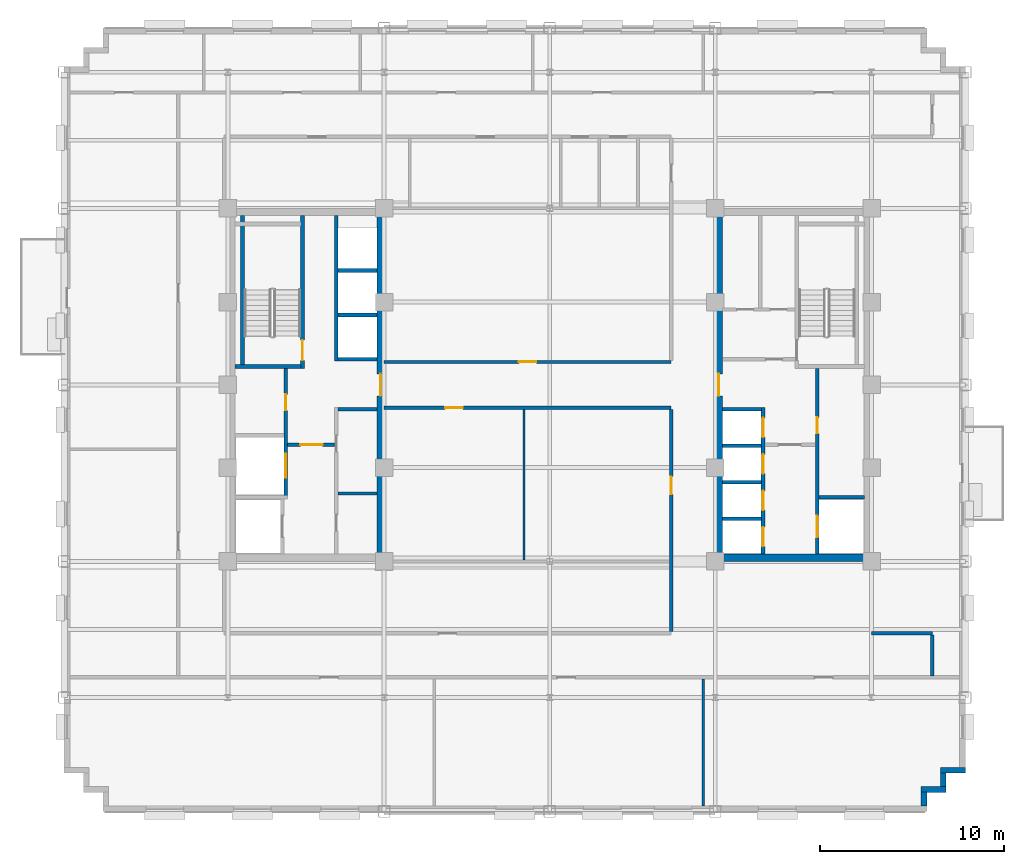
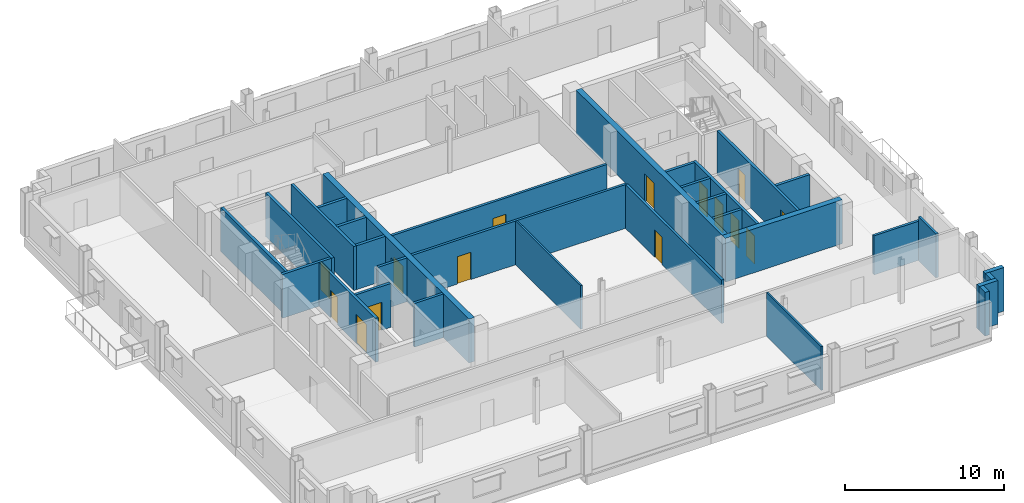
# One storey, part 8 of 14: 32 walls, 15 doors, 15 openings.
"""IFC4 building model written with IfcOpenShell, lengths in metres."""

from ifc_helpers import new_model, si_unit, direction, frame, frame_2d, origin, place, context, subcontext, project, spatial, rectangle, extrude, source, transform, mapped, material, layer, layer_set, type_object, type_shapes, element, fill, save


model = new_model("IFC4")

# Units and contexts
model_context = context("Model", 3, precision=1e-05, world=origin(), true_north=direction((0.0, 1.0)))
body_context = subcontext(model_context, "Body", "Model", "MODEL_VIEW")
ifc_project = project(units=[si_unit("LENGTHUNIT", "METRE"), si_unit("AREAUNIT", "SQUARE_METRE"), si_unit("VOLUMEUNIT", "CUBIC_METRE"), si_unit("PLANEANGLEUNIT", "RADIAN"), si_unit("MASSUNIT", "GRAM", prefix="KILO")], contexts=[model_context])

# Site, building, storey
site_placement = place(None, origin())
site = spatial("IfcSite", under=ifc_project, at=site_placement, CompositionType="ELEMENT")
building_placement = place(site_placement, origin())
building = spatial("IfcBuilding", under=site, at=building_placement, Name="Nuvemarco Arch Tower", CompositionType="ELEMENT")
storey_placement = place(building_placement, frame((0.0, 0.0, 174.949951171875)))
storey = spatial("IfcBuildingStorey", under=building, at=storey_placement, Name="L46", CompositionType="ELEMENT", Elevation=174.949951171875)

# Walls
ifc_material_1 = material(Name="Precast concrete C45/55", Category="concrete")
ifc_layer_1 = layer(ifc_material_1, 0.31005859375, Name="EW-UPP-310")
ifc_layer_set_1 = layer_set([ifc_layer_1], Name="Precast concrete C45/55")
wall_type_1 = type_object("IfcWallType", Name="EW-UPP-310", PredefinedType="STANDARD", material=ifc_layer_set_1)
wall_1_placement = place(storey_placement, frame((20.344970703125, -22.89404296875, 0.0), z_axis=(0.0, 0.0, 1.0), x_axis=(0.0, 1.0, 0.0)))
element("IfcWall", 1, at=wall_1_placement, inside=storey, type_object=wall_type_1, Name="L46 exterior precast facade wall 2", PredefinedType="STANDARD", context=body_context, shape_type="SweptSolid", body=[
    extrude(rectangle(XDim=0.748046875, YDim=0.31005859375, at=frame_2d((0.3740234375, 0.0))), origin(), (0.0, 0.0, 1.0), 3.360107421875),
])
wall_2_placement = place(storey_placement, frame((20.18994140625, -21.9951171875, 0.0), z_axis=(0.0, 0.0, 1.0), x_axis=(1.0, 0.0, 0.0)))
element("IfcWall", 2, at=wall_2_placement, inside=storey, type_object=wall_type_1, Name="L46 exterior precast facade wall 3", PredefinedType="STANDARD", context=body_context, shape_type="SweptSolid", body=[
    extrude(rectangle(XDim=1.360107421875, YDim=0.31005859375, at=frame_2d((0.68017578125, 0.0))), origin(), (0.0, 0.0, 1.0), 3.360107421875),
])
wall_3_placement = place(storey_placement, frame((21.39501953125, -21.843994140625, 0.0), z_axis=(0.0, 0.0, 1.0), x_axis=(0.0, 1.0, 0.0)))
element("IfcWall", 3, at=wall_3_placement, inside=storey, type_object=wall_type_1, Name="L46 exterior precast facade wall 4", PredefinedType="STANDARD", context=body_context, shape_type="SweptSolid", body=[
    extrude(rectangle(XDim=0.748046875, YDim=0.31005859375, at=frame_2d((0.3740234375, 0.0))), origin(), (0.0, 0.0, 1.0), 3.360107421875),
])
wall_4_placement = place(storey_placement, frame((21.239990234375, -20.945068359375, 0.0), z_axis=(0.0, 0.0, 1.0), x_axis=(1.0, 0.0, 0.0)))
element("IfcWall", 4, at=wall_4_placement, inside=storey, type_object=wall_type_1, Name="L46 exterior precast facade wall 5", PredefinedType="STANDARD", context=body_context, shape_type="SweptSolid", body=[
    extrude(rectangle(XDim=1.360107421875, YDim=0.31005859375, at=frame_2d((0.68017578125, 0.0))), origin(), (0.0, 0.0, 1.0), 3.360107421875),
])

# Wall, opening, door
ifc_material_2 = material(Name="Concrete C60/75", Category="concrete")
ifc_layer_2 = layer(ifc_material_2, 0.39990234375, Name="WL-CORE-400")
ifc_layer_set_2 = layer_set([ifc_layer_2], Name="Concrete C60/75")
wall_type_2 = type_object("IfcWallType", Name="WL-CORE-400", PredefinedType="SHEAR", material=ifc_layer_set_2)
wall_5_placement = place(storey_placement, frame((-9.199951171875, -9.205078125, 0.0), z_axis=(0.0, 0.0, 1.0), x_axis=(0.0, 1.0, 0.0)))
wall_5 = element("IfcWall", 5, at=wall_5_placement, inside=storey, type_object=wall_type_2, Name="L46 W-core shear wall E", PredefinedType="SHEAR", context=body_context, shape_type="SweptSolid", body=[
    extrude(rectangle(XDim=18.41015625, YDim=0.39990234375, at=frame_2d((9.205078125, 0.0))), origin(), (0.0, 0.0, 1.0), 3.3701171875),
])
opening_1_placement = place(wall_5_placement, frame((8.60498046875, 0.0, 0.0)))
opening_1 = element("IfcOpeningElement", 6, at=opening_1_placement, cuts=wall_5, Name="Opening FD-2", PredefinedType="OPENING", context=body_context, shape_type="SweptSolid", body=[
    extrude(rectangle(XDim=1.199951171875, YDim=2.14990234375, at=frame_2d((0.60009765625, 1.074951171875))), frame((0.0, 0.2099609375, 0.0), z_axis=(0.0, -1.0, 0.0), x_axis=(1.0, 0.0, 0.0)), (0.0, 0.0, 1.0), 0.419921875),
])
ifc_material_3 = material(Name="Anodised steel fire door", Category="steel")
door_type_1 = type_object("IfcDoorType", Name="DR-FFLOB-FD", OperationType="NOTDEFINED", PredefinedType="DOOR", material=ifc_material_3)
shared_shape_1 = source(origin(), body_context, "Body", "SweptSolid", [
    extrude(rectangle(XDim=1.199951171875, YDim=2.14990234375, at=frame_2d((0.60009765625, 1.074951171875))), frame((0.0, 0.02490234375, 0.0), z_axis=(0.0, -1.0, 0.0), x_axis=(1.0, 0.0, 0.0)), (0.0, 0.0, 1.0), 0.050048828125),
])
type_shapes(door_type_1, [shared_shape_1])
door_1_placement = place(opening_1_placement, origin())
door_1 = element("IfcDoor", 7, at=door_1_placement, inside=storey, type_object=door_type_1, Name="L46 door FD-L46-WCORE-E", OperationType="SINGLE_SWING_RIGHT", OverallHeight=2.14990234375, OverallWidth=1.199951171875, PredefinedType="DOOR", context=body_context, shape_type="MappedRepresentation", body=[
    mapped(shared_shape_1, transform((0.0, 0.0, 0.0), scale=1.0)),
])
fill(opening_1, door_1)

# Wall
wall_6_placement = place(storey_placement, frame((9.0, -9.39990234375, 0.0), z_axis=(0.0, 0.0, 1.0), x_axis=(1.0, 0.0, 0.0)))
element("IfcWall", 8, at=wall_6_placement, inside=storey, type_object=wall_type_2, Name="L46 E-core shear wall S", PredefinedType="SHEAR", context=body_context, shape_type="SweptSolid", body=[
    extrude(rectangle(XDim=8.5, YDim=0.39990234375, at=frame_2d((4.25, 0.0))), origin(), (0.0, 0.0, 1.0), 3.3701171875),
])

# Wall, opening, door
wall_7_placement = place(storey_placement, frame((9.199951171875, -9.205078125, 0.0), z_axis=(0.0, 0.0, 1.0), x_axis=(0.0, 1.0, 0.0)))
wall_7 = element("IfcWall", 9, at=wall_7_placement, inside=storey, type_object=wall_type_2, Name="L46 E-core shear wall W", PredefinedType="SHEAR", context=body_context, shape_type="SweptSolid", body=[
    extrude(rectangle(XDim=18.41015625, YDim=0.39990234375, at=frame_2d((9.205078125, 0.0))), origin(), (0.0, 0.0, 1.0), 3.3701171875),
])
opening_2_placement = place(wall_7_placement, frame((8.60498046875, 0.0, 0.0)))
opening_2 = element("IfcOpeningElement", 10, at=opening_2_placement, cuts=wall_7, Name="Opening FD-2", PredefinedType="OPENING", context=body_context, shape_type="SweptSolid", body=[
    extrude(rectangle(XDim=1.199951171875, YDim=2.14990234375, at=frame_2d((0.60009765625, 1.074951171875))), frame((0.0, 0.2099609375, 0.0), z_axis=(0.0, -1.0, 0.0), x_axis=(1.0, 0.0, 0.0)), (0.0, 0.0, 1.0), 0.419921875),
])
door_2_placement = place(opening_2_placement, origin())
door_2 = element("IfcDoor", 11, at=door_2_placement, inside=storey, type_object=door_type_1, Name="L46 door FD-L46-ECORE-W", OperationType="SINGLE_SWING_LEFT", OverallHeight=2.14990234375, OverallWidth=1.199951171875, PredefinedType="DOOR", context=body_context, shape_type="MappedRepresentation", body=[
    mapped(shared_shape_1, transform((0.0, 0.0, 0.0), scale=1.0)),
])
fill(opening_2, door_2)

# Walls
ifc_material_4 = material(Name="Fire-rated gypsum drywall partition")
ifc_layer_3 = layer(ifc_material_4, 0.179931640625, Name="WL-CORR-180")
ifc_layer_set_3 = layer_set([ifc_layer_3], Name="Fire-rated gypsum drywall partition")
wall_type_3 = type_object("IfcWallType", Name="WL-CORR-180", PredefinedType="PARTITIONING", material=ifc_layer_set_3)
wall_8_placement = place(storey_placement, frame((-11.5048828125, -5.89990234375, 0.0), z_axis=(0.0, 0.0, 1.0), x_axis=(1.0, 0.0, 0.0)))
element("IfcWall", 12, at=wall_8_placement, inside=storey, type_object=wall_type_3, Name="L46 interior wall IW-L46-W-RECK3", PredefinedType="PARTITIONING", context=body_context, shape_type="SweptSolid", body=[
    extrude(rectangle(XDim=2.10986328125, YDim=0.179931640625, at=frame_2d((1.054931640625, 0.0))), origin(), (0.0, 0.0, 1.0), 3.360107421875),
])
wall_9_placement = place(storey_placement, frame((17.5, -13.5, 0.0), z_axis=(0.0, 0.0, 1.0), x_axis=(1.0, 0.0, 0.0)))
element("IfcWall", 13, at=wall_9_placement, inside=storey, type_object=wall_type_3, Name="L46 interior wall IW-L46-003", PredefinedType="PARTITIONING", context=body_context, shape_type="SweptSolid", body=[
    extrude(rectangle(XDim=3.300048828125, YDim=0.179931640625, at=frame_2d((1.64990234375, 0.0))), origin(), (0.0, 0.0, 1.0), 3.008056640625),
])

# Wall, opening, door
wall_10_placement = place(storey_placement, frame((-9.0, -1.25, 0.0), z_axis=(0.0, 0.0, 1.0), x_axis=(1.0, 0.0, 0.0)))
wall_10 = element("IfcWall", 14, at=wall_10_placement, inside=storey, type_object=wall_type_3, Name="L46 interior wall IW-L46-007", PredefinedType="PARTITIONING", context=body_context, shape_type="SweptSolid", body=[
    extrude(rectangle(XDim=15.60009765625, YDim=0.179931640625, at=frame_2d((7.800048828125, 0.0))), origin(), (0.0, 0.0, 1.0), 3.360107421875),
])
opening_3_placement = place(wall_10_placement, frame((3.320068359375, 0.0, 0.0)))
opening_3 = element("IfcOpeningElement", 15, at=opening_3_placement, cuts=wall_10, Name="Opening FD-5", PredefinedType="OPENING", context=body_context, shape_type="SweptSolid", body=[
    extrude(rectangle(XDim=0.9599609375, YDim=2.10009765625, at=frame_2d((0.47998046875, 1.050048828125))), frame((0.0, 0.099853515625, 0.0), z_axis=(0.0, -1.0, 0.0), x_axis=(1.0, 0.0, 0.0)), (0.0, 0.0, 1.0), 0.199951171875),
])
ifc_material_5 = material(Name="Timber fire door", Category="wood")
door_type_2 = type_object("IfcDoorType", Name="DR-CORR-FD", OperationType="NOTDEFINED", PredefinedType="DOOR", material=ifc_material_5)
shared_shape_2 = source(origin(), body_context, "Body", "SweptSolid", [
    extrude(rectangle(XDim=0.9599609375, YDim=2.10009765625, at=frame_2d((0.47998046875, 1.050048828125))), frame((0.0, 0.02490234375, 0.0), z_axis=(0.0, -1.0, 0.0), x_axis=(1.0, 0.0, 0.0)), (0.0, 0.0, 1.0), 0.050048828125),
])
type_shapes(door_type_2, [shared_shape_2])
door_3_placement = place(opening_3_placement, origin())
door_3 = element("IfcDoor", 16, at=door_3_placement, inside=storey, type_object=door_type_2, Name="L46 door DR-L46-C_S1", OperationType="SINGLE_SWING_LEFT", OverallHeight=2.10009765625, OverallWidth=0.9599609375, PredefinedType="DOOR", context=body_context, shape_type="MappedRepresentation", body=[
    mapped(shared_shape_2, transform((0.0, 0.0, 0.0), scale=1.0)),
])
fill(opening_3, door_3)

wall_11_placement = place(storey_placement, frame((-9.0, 1.25, 0.0), z_axis=(0.0, 0.0, 1.0), x_axis=(1.0, 0.0, 0.0)))
wall_11 = element("IfcWall", 17, at=wall_11_placement, inside=storey, type_object=wall_type_3, Name="L46 interior wall IW-L46-008", PredefinedType="PARTITIONING", context=body_context, shape_type="SweptSolid", body=[
    extrude(rectangle(XDim=15.60009765625, YDim=0.179931640625, at=frame_2d((7.800048828125, 0.0))), origin(), (0.0, 0.0, 1.0), 3.360107421875),
])
opening_4_placement = place(wall_11_placement, frame((7.320068359375, 0.0, 0.0)))
opening_4 = element("IfcOpeningElement", 18, at=opening_4_placement, cuts=wall_11, Name="Opening FD-5", PredefinedType="OPENING", context=body_context, shape_type="SweptSolid", body=[
    extrude(rectangle(XDim=0.9599609375, YDim=2.10009765625, at=frame_2d((0.47998046875, 1.050048828125))), frame((0.0, 0.099853515625, 0.0), z_axis=(0.0, -1.0, 0.0), x_axis=(1.0, 0.0, 0.0)), (0.0, 0.0, 1.0), 0.199951171875),
])
door_4_placement = place(opening_4_placement, origin())
door_4 = element("IfcDoor", 19, at=door_4_placement, inside=storey, type_object=door_type_2, Name="L46 door DR-L46-C_N1", OperationType="SINGLE_SWING_LEFT", OverallHeight=2.10009765625, OverallWidth=0.9599609375, PredefinedType="DOOR", context=body_context, shape_type="MappedRepresentation", body=[
    mapped(shared_shape_2, transform((0.0, 0.0, 0.0), scale=1.0)),
])
fill(opening_4, door_4)

wall_12_placement = place(storey_placement, frame((6.60009765625, -13.4140625, 0.0), z_axis=(0.0, 0.0, 1.0), x_axis=(0.0, 1.0, 0.0)))
wall_12 = element("IfcWall", 20, at=wall_12_placement, inside=storey, type_object=wall_type_3, Name="L46 interior wall IW-L46-026", PredefinedType="PARTITIONING", context=body_context, shape_type="SweptSolid", body=[
    extrude(rectangle(XDim=12.078125, YDim=0.179931640625, at=frame_2d((6.0390625, 0.0))), origin(), (0.0, 0.0, 1.0), 3.360107421875),
])
opening_5_placement = place(wall_12_placement, frame((7.466064453125, 0.0, 0.0)))
opening_5 = element("IfcOpeningElement", 21, at=opening_5_placement, cuts=wall_12, Name="Opening FD-5", PredefinedType="OPENING", context=body_context, shape_type="SweptSolid", body=[
    extrude(rectangle(XDim=0.9599609375, YDim=2.10009765625, at=frame_2d((0.47998046875, 1.050048828125))), frame((0.0, 0.099853515625, 0.0), z_axis=(0.0, -1.0, 0.0), x_axis=(1.0, 0.0, 0.0)), (0.0, 0.0, 1.0), 0.199951171875),
])
door_5_placement = place(opening_5_placement, origin())
door_5 = element("IfcDoor", 22, at=door_5_placement, inside=storey, type_object=door_type_2, Name="L46 door DR-L46-C_S2", OperationType="SINGLE_SWING_LEFT", OverallHeight=2.10009765625, OverallWidth=0.9599609375, PredefinedType="DOOR", context=body_context, shape_type="MappedRepresentation", body=[
    mapped(shared_shape_2, transform((0.0, 0.0, 0.0), scale=1.0)),
])
fill(opening_5, door_5)

# Walls
wall_13_placement = place(storey_placement, frame((20.800048828125, -15.81396484375, 0.0), z_axis=(0.0, 0.0, 1.0), x_axis=(0.0, 1.0, 0.0)))
element("IfcWall", 23, at=wall_13_placement, inside=storey, type_object=wall_type_3, Name="L46 interior wall IW-L46-030", PredefinedType="PARTITIONING", context=body_context, shape_type="SweptSolid", body=[
    extrude(rectangle(XDim=2.22802734375, YDim=0.179931640625, at=frame_2d((1.114013671875, 0.0))), origin(), (0.0, 0.0, 1.0), 3.360107421875),
])
ifc_material_6 = material(Name="Glazed acoustic office partition")
ifc_layer_4 = layer(ifc_material_6, 0.1298828125, Name="WL-EXEC-130")
ifc_layer_set_4 = layer_set([ifc_layer_4], Name="Glazed acoustic office partition")
wall_type_4 = type_object("IfcWallType", Name="WL-EXEC-130", PredefinedType="PARTITIONING", material=ifc_layer_set_4)
wall_14_placement = place(storey_placement, frame((-1.39990234375, -9.52392578125, 0.0), z_axis=(0.0, 0.0, 1.0), x_axis=(0.0, 1.0, 0.0)))
element("IfcWall", 24, at=wall_14_placement, inside=storey, type_object=wall_type_4, Name="L46 interior wall IW-L46-021", PredefinedType="PARTITIONING", context=body_context, shape_type="SweptSolid", body=[
    extrude(rectangle(XDim=8.18798828125, YDim=0.1298828125, at=frame_2d((4.093994140625, 0.0))), origin(), (0.0, 0.0, 1.0), 3.360107421875),
])
wall_15_placement = place(storey_placement, frame((8.35009765625, -22.889892578125, 0.0), z_axis=(0.0, 0.0, 1.0), x_axis=(0.0, 1.0, 0.0)))
element("IfcWall", 25, at=wall_15_placement, inside=storey, type_object=wall_type_4, Name="L46 interior wall IW-L46-028", PredefinedType="PARTITIONING", context=body_context, shape_type="SweptSolid", body=[
    extrude(rectangle(XDim=6.90380859375, YDim=0.1298828125, at=frame_2d((3.451904296875, 0.0))), origin(), (0.0, 0.0, 1.0), 3.360107421875),
])

# Wall, opening, door
ifc_material_7 = material(Name="Concrete C50/60", Category="concrete")
ifc_layer_5 = layer(ifc_material_7, 0.199951171875, Name="WL-SHAFT-220")
ifc_layer_set_5 = layer_set([ifc_layer_5], Name="Concrete C50/60")
wall_type_5 = type_object("IfcWallType", Name="WL-SHAFT-220", PredefinedType="SHEAR", material=ifc_layer_set_5)
wall_16_placement = place(storey_placement, frame((-13.43994140625, 0.89990234375, 0.0), z_axis=(0.0, 0.0, 1.0), x_axis=(0.0, 1.0, 0.0)))
wall_16 = element("IfcWall", 26, at=wall_16_placement, inside=storey, type_object=wall_type_5, Name="L46 structural shaft wall SW-L46-W-ST1E", PredefinedType="SHEAR", context=body_context, shape_type="SweptSolid", body=[
    extrude(rectangle(XDim=8.30517578125, YDim=0.199951171875, at=frame_2d((4.152587890625, 0.0))), origin(), (0.0, 0.0, 1.0), 3.3701171875),
])
opening_6_placement = place(wall_16_placement, frame((1.530029296875, 0.0, 0.0), z_axis=(0.0, 0.0, 1.0), x_axis=(-1.0, 0.0, 0.0)))
opening_6 = element("IfcOpeningElement", 27, at=opening_6_placement, cuts=wall_16, Name="Opening FD-1", PredefinedType="OPENING", context=body_context, shape_type="SweptSolid", body=[
    extrude(rectangle(XDim=1.10009765625, YDim=2.14990234375, at=frame_2d((0.550048828125, 1.074951171875))), frame((0.0, 0.10986328125, 0.0), z_axis=(0.0, -1.0, 0.0), x_axis=(1.0, 0.0, 0.0)), (0.0, 0.0, 1.0), 0.219970703125),
])
door_type_3 = type_object("IfcDoorType", Name="DR-STAIR-FD", OperationType="NOTDEFINED", PredefinedType="DOOR", material=ifc_material_3)
shared_shape_3 = source(origin(), body_context, "Body", "SweptSolid", [
    extrude(rectangle(XDim=1.10009765625, YDim=2.14990234375, at=frame_2d((0.550048828125, 1.074951171875))), frame((0.0, 0.02490234375, 0.0), z_axis=(0.0, -1.0, 0.0), x_axis=(1.0, 0.0, 0.0)), (0.0, 0.0, 1.0), 0.050048828125),
])
type_shapes(door_type_3, [shared_shape_3])
door_6_placement = place(opening_6_placement, origin())
door_6 = element("IfcDoor", 28, at=door_6_placement, inside=storey, type_object=door_type_3, Name="L46 door FD-L46-ST1", OperationType="SINGLE_SWING_RIGHT", OverallHeight=2.14990234375, OverallWidth=1.10009765625, PredefinedType="DOOR", context=body_context, shape_type="MappedRepresentation", body=[
    mapped(shared_shape_3, transform((0.0, 0.0, 0.0), scale=1.0)),
])
fill(opening_6, door_6)

# Walls
wall_17_placement = place(storey_placement, frame((-17.10498046875, 1.0, 0.0), z_axis=(0.0, 0.0, 1.0), x_axis=(1.0, 0.0, 0.0)))
element("IfcWall", 29, at=wall_17_placement, inside=storey, type_object=wall_type_5, Name="L46 structural shaft wall SW-L46-W-ST1S", PredefinedType="SHEAR", context=body_context, shape_type="SweptSolid", body=[
    extrude(rectangle(XDim=3.570068359375, YDim=0.199951171875, at=frame_2d((1.78515625, 0.0))), origin(), (0.0, 0.0, 1.0), 3.3701171875),
])
wall_18_placement = place(storey_placement, frame((-16.699951171875, 1.094970703125, 0.0), z_axis=(0.0, 0.0, 1.0), x_axis=(0.0, 1.0, 0.0)))
element("IfcWall", 30, at=wall_18_placement, inside=storey, type_object=wall_type_5, Name="L46 structural shaft wall SW-L46-W-ST1W", PredefinedType="SHEAR", context=body_context, shape_type="SweptSolid", body=[
    extrude(rectangle(XDim=8.110107421875, YDim=0.199951171875, at=frame_2d((4.05517578125, 0.0))), origin(), (0.0, 0.0, 1.0), 3.3701171875),
])

# Wall, openings, doors
wall_19_placement = place(storey_placement, frame((-14.35009765625, -6.199951171875, 0.0), z_axis=(0.0, 0.0, 1.0), x_axis=(0.0, 1.0, 0.0)))
wall_19 = element("IfcWall", 31, at=wall_19_placement, inside=storey, type_object=wall_type_5, Name="L46 structural shaft wall SW-L46-W-SVE", PredefinedType="SHEAR", context=body_context, shape_type="SweptSolid", body=[
    extrude(rectangle(XDim=7.10498046875, YDim=0.199951171875, at=frame_2d((3.552490234375, 0.0))), origin(), (0.0, 0.0, 1.0), 3.3701171875),
])
opening_7_placement = place(wall_19_placement, frame((5.68994140625, 0.0, 0.0), z_axis=(0.0, 0.0, 1.0), x_axis=(-1.0, 0.0, 0.0)))
opening_7 = element("IfcOpeningElement", 32, at=opening_7_placement, cuts=wall_19, Name="Opening FD-4", PredefinedType="OPENING", context=body_context, shape_type="SweptSolid", body=[
    extrude(rectangle(XDim=0.8798828125, YDim=2.10009765625, at=frame_2d((0.43994140625, 1.050048828125))), frame((0.0, 0.10986328125, 0.0), z_axis=(0.0, -1.0, 0.0), x_axis=(1.0, 0.0, 0.0)), (0.0, 0.0, 1.0), 0.219970703125),
])
opening_8_placement = place(wall_19_placement, frame((1.14990234375, 0.0, 0.0)))
opening_8 = element("IfcOpeningElement", 33, at=opening_8_placement, cuts=wall_19, Name="Opening LD-3", PredefinedType="OPENING", context=body_context, shape_type="SweptSolid", body=[
    extrude(rectangle(XDim=1.300048828125, YDim=2.199951171875, at=frame_2d((0.64990234375, 1.10009765625))), frame((0.0, 0.10986328125, 0.0), z_axis=(0.0, -1.0, 0.0), x_axis=(1.0, 0.0, 0.0)), (0.0, 0.0, 1.0), 0.219970703125),
])
door_type_4 = type_object("IfcDoorType", Name="DR-RISER-FD", OperationType="NOTDEFINED", PredefinedType="DOOR", material=ifc_material_3)
shared_shape_4 = source(origin(), body_context, "Body", "SweptSolid", [
    extrude(rectangle(XDim=0.8798828125, YDim=2.10009765625, at=frame_2d((0.43994140625, 1.050048828125))), frame((0.0, 0.02490234375, 0.0), z_axis=(0.0, -1.0, 0.0), x_axis=(1.0, 0.0, 0.0)), (0.0, 0.0, 1.0), 0.050048828125),
])
type_shapes(door_type_4, [shared_shape_4])
door_7_placement = place(opening_7_placement, origin())
door_7 = element("IfcDoor", 34, at=door_7_placement, inside=storey, type_object=door_type_4, Name="L46 door FD-L46-WRIS", OperationType="SINGLE_SWING_RIGHT", OverallHeight=2.10009765625, OverallWidth=0.8798828125, PredefinedType="DOOR", context=body_context, shape_type="MappedRepresentation", body=[
    mapped(shared_shape_4, transform((0.0, 0.0, 0.0), scale=1.0)),
])
fill(opening_7, door_7)
ifc_material_8 = material(Name="Stainless steel lift door", Category="steel")
door_type_5 = type_object("IfcDoorType", Name="DR-LIFT-SERV", OperationType="DOUBLE_DOOR_SLIDING", PredefinedType="DOOR", material=ifc_material_8)
shared_shape_5 = source(origin(), body_context, "Body", "SweptSolid", [
    extrude(rectangle(XDim=1.300048828125, YDim=2.199951171875, at=frame_2d((0.64990234375, 1.10009765625))), frame((0.0, 0.02490234375, 0.0), z_axis=(0.0, -1.0, 0.0), x_axis=(1.0, 0.0, 0.0)), (0.0, 0.0, 1.0), 0.050048828125),
])
type_shapes(door_type_5, [shared_shape_5])
door_8_placement = place(opening_8_placement, origin())
door_8 = element("IfcDoor", 35, at=door_8_placement, inside=storey, type_object=door_type_5, Name="L46 Lift landing sliding door SVL-1", OperationType="DOUBLE_DOOR_SLIDING", OverallHeight=2.199951171875, OverallWidth=1.300048828125, PredefinedType="DOOR", context=body_context, shape_type="MappedRepresentation", body=[
    mapped(shared_shape_5, transform((0.0, 0.0, 0.0), scale=1.0)),
])
fill(opening_8, door_8)

# Wall, opening, door
wall_20_placement = place(storey_placement, frame((-14.2548828125, -3.25, 0.0), z_axis=(0.0, 0.0, 1.0), x_axis=(1.0, 0.0, 0.0)))
wall_20 = element("IfcWall", 36, at=wall_20_placement, inside=storey, type_object=wall_type_5, Name="L46 structural shaft wall SW-L46-W-FFN", PredefinedType="SHEAR", context=body_context, shape_type="SweptSolid", body=[
    extrude(rectangle(XDim=2.559814453125, YDim=0.199951171875, at=frame_2d((1.27978515625, 0.0))), origin(), (0.0, 0.0, 1.0), 3.3701171875),
])
opening_9_placement = place(wall_20_placement, frame((0.705078125, 0.0, 0.0)))
opening_9 = element("IfcOpeningElement", 37, at=opening_9_placement, cuts=wall_20, Name="Opening FD-2", PredefinedType="OPENING", context=body_context, shape_type="SweptSolid", body=[
    extrude(rectangle(XDim=1.199951171875, YDim=2.14990234375, at=frame_2d((0.60009765625, 1.074951171875))), frame((0.0, 0.10986328125, 0.0), z_axis=(0.0, -1.0, 0.0), x_axis=(1.0, 0.0, 0.0)), (0.0, 0.0, 1.0), 0.219970703125),
])
door_9_placement = place(opening_9_placement, origin())
door_9 = element("IfcDoor", 38, at=door_9_placement, inside=storey, type_object=door_type_1, Name="L46 door FD-L46-WFF1", OperationType="SINGLE_SWING_RIGHT", OverallHeight=2.14990234375, OverallWidth=1.199951171875, PredefinedType="DOOR", context=body_context, shape_type="MappedRepresentation", body=[
    mapped(shared_shape_1, transform((0.0, 0.0, 0.0), scale=1.0)),
])
fill(opening_9, door_9)

# Walls
wall_21_placement = place(storey_placement, frame((-11.5048828125, -1.330078125, 0.0), z_axis=(0.0, 0.0, 1.0), x_axis=(1.0, 0.0, 0.0)))
element("IfcWall", 39, at=wall_21_placement, inside=storey, type_object=wall_type_5, Name="L46 structural shaft wall SW-L46-W-PLTOP", PredefinedType="SHEAR", context=body_context, shape_type="SweptSolid", body=[
    extrude(rectangle(XDim=2.10986328125, YDim=0.199951171875, at=frame_2d((1.054931640625, 0.0))), origin(), (0.0, 0.0, 1.0), 3.3701171875),
])
wall_22_placement = place(storey_placement, frame((-11.60009765625, 1.300048828125, 0.0), z_axis=(0.0, 0.0, 1.0), x_axis=(0.0, 1.0, 0.0)))
element("IfcWall", 40, at=wall_22_placement, inside=storey, type_object=wall_type_5, Name="L46 structural shaft wall SW-L46-W-PHW", PredefinedType="SHEAR", context=body_context, shape_type="SweptSolid", body=[
    extrude(rectangle(XDim=7.905029296875, YDim=0.199951171875, at=frame_2d((3.95263671875, 0.0))), origin(), (0.0, 0.0, 1.0), 3.3701171875),
])
for number, where, z_axis, x_axis, name in (
    (41, (-11.5048828125, 1.39990234375, 0.0), (0.0, 0.0, 1.0), (1.0, 0.0, 0.0), "L46 structural shaft wall SW-L46-W-PHD1"),
    (42, (-11.5048828125, 3.800048828125, 0.0), (0.0, 0.0, 1.0), (1.0, 0.0, 0.0), "L46 structural shaft wall SW-L46-W-PHD2"),
    (43, (-11.5048828125, 6.219970703125, 0.0), (0.0, 0.0, 1.0), (1.0, 0.0, 0.0), "L46 structural shaft wall SW-L46-W-PHD3"),
):
    element("IfcWall", number, at=place(storey_placement, frame(where, z_axis=z_axis, x_axis=x_axis)), inside=storey, type_object=wall_type_5, Name=name, PredefinedType="SHEAR", context=body_context, shape_type="SweptSolid", body=[
        extrude(rectangle(XDim=2.10986328125, YDim=0.199951171875, at=frame_2d((1.054931640625, 0.0))), origin(), (0.0, 0.0, 1.0), 3.3701171875),
    ])

# Wall, openings, doors
wall_23_placement = place(storey_placement, frame((14.550048828125, -9.205078125, 0.0), z_axis=(0.0, 0.0, 1.0), x_axis=(0.0, 1.0, 0.0)))
wall_23 = element("IfcWall", 44, at=wall_23_placement, inside=storey, type_object=wall_type_5, Name="L46 structural shaft wall SW-L46-E-SHW", PredefinedType="SHEAR", context=body_context, shape_type="SweptSolid", body=[
    extrude(rectangle(XDim=10.110107421875, YDim=0.199951171875, at=frame_2d((5.05517578125, 0.0))), origin(), (0.0, 0.0, 1.0), 3.3701171875),
])
opening_10_placement = place(wall_23_placement, frame((6.56494140625, 0.0, 0.0)))
opening_10 = element("IfcOpeningElement", 45, at=opening_10_placement, cuts=wall_23, Name="Opening FD-4", PredefinedType="OPENING", context=body_context, shape_type="SweptSolid", body=[
    extrude(rectangle(XDim=0.8798828125, YDim=2.10009765625, at=frame_2d((0.43994140625, 1.050048828125))), frame((0.0, 0.10986328125, 0.0), z_axis=(0.0, -1.0, 0.0), x_axis=(1.0, 0.0, 0.0)), (0.0, 0.0, 1.0), 0.219970703125),
])
opening_11_placement = place(wall_23_placement, frame((0.929931640625, 0.0, 0.0)))
opening_11 = element("IfcOpeningElement", 46, at=opening_11_placement, cuts=wall_23, Name="Opening LD-2", PredefinedType="OPENING", context=body_context, shape_type="SweptSolid", body=[
    extrude(rectangle(XDim=1.14990234375, YDim=2.14990234375, at=frame_2d((0.574951171875, 1.074951171875))), frame((0.0, 0.10986328125, 0.0), z_axis=(0.0, -1.0, 0.0), x_axis=(1.0, 0.0, 0.0)), (0.0, 0.0, 1.0), 0.219970703125),
])
door_10_placement = place(opening_10_placement, origin())
door_10 = element("IfcDoor", 47, at=door_10_placement, inside=storey, type_object=door_type_4, Name="L46 door FD-L46-ERIS", OperationType="SINGLE_SWING_LEFT", OverallHeight=2.10009765625, OverallWidth=0.8798828125, PredefinedType="DOOR", context=body_context, shape_type="MappedRepresentation", body=[
    mapped(shared_shape_4, transform((0.0, 0.0, 0.0), scale=1.0)),
])
fill(opening_10, door_10)
door_type_6 = type_object("IfcDoorType", Name="DR-LIFT-FIRE", OperationType="DOUBLE_DOOR_SLIDING", PredefinedType="DOOR", material=ifc_material_8)
shared_shape_6 = source(origin(), body_context, "Body", "SweptSolid", [
    extrude(rectangle(XDim=1.14990234375, YDim=2.14990234375, at=frame_2d((0.574951171875, 1.074951171875))), frame((0.0, 0.02490234375, 0.0), z_axis=(0.0, -1.0, 0.0), x_axis=(1.0, 0.0, 0.0)), (0.0, 0.0, 1.0), 0.050048828125),
])
type_shapes(door_type_6, [shared_shape_6])
door_11_placement = place(opening_11_placement, origin())
door_11 = element("IfcDoor", 48, at=door_11_placement, inside=storey, type_object=door_type_6, Name="L46 Lift landing sliding door FFL-2", OperationType="DOUBLE_DOOR_SLIDING", OverallHeight=2.14990234375, OverallWidth=1.14990234375, PredefinedType="DOOR", context=body_context, shape_type="MappedRepresentation", body=[
    mapped(shared_shape_6, transform((0.0, 0.0, 0.0), scale=1.0)),
])
fill(opening_11, door_11)

# Wall
wall_24_placement = place(storey_placement, frame((14.64501953125, -6.10009765625, 0.0), z_axis=(0.0, 0.0, 1.0), x_axis=(1.0, 0.0, 0.0)))
element("IfcWall", 49, at=wall_24_placement, inside=storey, type_object=wall_type_5, Name="L46 structural shaft wall SW-L46-E-SH1", PredefinedType="SHEAR", context=body_context, shape_type="SweptSolid", body=[
    extrude(rectangle(XDim=2.4599609375, YDim=0.199951171875, at=frame_2d((1.22998046875, 0.0))), origin(), (0.0, 0.0, 1.0), 3.3701171875),
])

# Wall, openings, doors
wall_25_placement = place(storey_placement, frame((11.60009765625, -9.205078125, 0.0), z_axis=(0.0, 0.0, 1.0), x_axis=(0.0, 1.0, 0.0)))
wall_25 = element("IfcWall", 50, at=wall_25_placement, inside=storey, type_object=wall_type_5, Name="L46 structural shaft wall SW-L46-E-PME", PredefinedType="SHEAR", context=body_context, shape_type="SweptSolid", body=[
    extrude(rectangle(XDim=7.97509765625, YDim=0.199951171875, at=frame_2d((3.987548828125, 0.0))), origin(), (0.0, 0.0, 1.0), 3.3701171875),
])
opening_12_placement = place(wall_25_placement, frame((0.419921875, 0.0, 0.0)))
opening_12 = element("IfcOpeningElement", 51, at=opening_12_placement, cuts=wall_25, Name="Opening LD-1", PredefinedType="OPENING", context=body_context, shape_type="SweptSolid", body=[
    extrude(rectangle(XDim=1.050048828125, YDim=2.14990234375, at=frame_2d((0.52490234375, 1.074951171875))), frame((0.0, 0.10986328125, 0.0), z_axis=(0.0, -1.0, 0.0), x_axis=(1.0, 0.0, 0.0)), (0.0, 0.0, 1.0), 0.219970703125),
])
opening_13_placement = place(wall_25_placement, frame((2.39990234375, 0.0, 0.0)))
opening_13 = element("IfcOpeningElement", 52, at=opening_13_placement, cuts=wall_25, Name="Opening LD-1", PredefinedType="OPENING", context=body_context, shape_type="SweptSolid", body=[
    extrude(rectangle(XDim=1.050048828125, YDim=2.14990234375, at=frame_2d((0.52490234375, 1.074951171875))), frame((0.0, 0.10986328125, 0.0), z_axis=(0.0, -1.0, 0.0), x_axis=(1.0, 0.0, 0.0)), (0.0, 0.0, 1.0), 0.219970703125),
])
opening_14_placement = place(wall_25_placement, frame((4.3798828125, 0.0, 0.0)))
opening_14 = element("IfcOpeningElement", 53, at=opening_14_placement, cuts=wall_25, Name="Opening LD-1", PredefinedType="OPENING", context=body_context, shape_type="SweptSolid", body=[
    extrude(rectangle(XDim=1.050048828125, YDim=2.14990234375, at=frame_2d((0.52490234375, 1.074951171875))), frame((0.0, 0.10986328125, 0.0), z_axis=(0.0, -1.0, 0.0), x_axis=(1.0, 0.0, 0.0)), (0.0, 0.0, 1.0), 0.219970703125),
])
opening_15_placement = place(wall_25_placement, frame((6.360107421875, 0.0, 0.0)))
opening_15 = element("IfcOpeningElement", 54, at=opening_15_placement, cuts=wall_25, Name="Opening LD-1", PredefinedType="OPENING", context=body_context, shape_type="SweptSolid", body=[
    extrude(rectangle(XDim=1.050048828125, YDim=2.14990234375, at=frame_2d((0.52490234375, 1.074951171875))), frame((0.0, 0.10986328125, 0.0), z_axis=(0.0, -1.0, 0.0), x_axis=(1.0, 0.0, 0.0)), (0.0, 0.0, 1.0), 0.219970703125),
])
door_type_7 = type_object("IfcDoorType", Name="DR-LIFT-PASS", OperationType="DOUBLE_DOOR_SLIDING", PredefinedType="DOOR", material=ifc_material_8)
shared_shape_7 = source(origin(), body_context, "Body", "SweptSolid", [
    extrude(rectangle(XDim=1.050048828125, YDim=2.14990234375, at=frame_2d((0.52490234375, 1.074951171875))), frame((0.0, 0.02490234375, 0.0), z_axis=(0.0, -1.0, 0.0), x_axis=(1.0, 0.0, 0.0)), (0.0, 0.0, 1.0), 0.050048828125),
])
type_shapes(door_type_7, [shared_shape_7])
door_12_placement = place(opening_12_placement, origin())
door_12 = element("IfcDoor", 55, at=door_12_placement, inside=storey, type_object=door_type_7, Name="L46 Lift landing sliding door PM-1", OperationType="DOUBLE_DOOR_SLIDING", OverallHeight=2.14990234375, OverallWidth=1.050048828125, PredefinedType="DOOR", context=body_context, shape_type="MappedRepresentation", body=[
    mapped(shared_shape_7, transform((0.0, 0.0, 0.0), scale=1.0)),
])
fill(opening_12, door_12)
door_13_placement = place(opening_13_placement, origin())
door_13 = element("IfcDoor", 56, at=door_13_placement, inside=storey, type_object=door_type_7, Name="L46 Lift landing sliding door PM-2", OperationType="DOUBLE_DOOR_SLIDING", OverallHeight=2.14990234375, OverallWidth=1.050048828125, PredefinedType="DOOR", context=body_context, shape_type="MappedRepresentation", body=[
    mapped(shared_shape_7, transform((0.0, 0.0, 0.0), scale=1.0)),
])
fill(opening_13, door_13)
door_14_placement = place(opening_14_placement, origin())
door_14 = element("IfcDoor", 57, at=door_14_placement, inside=storey, type_object=door_type_7, Name="L46 Lift landing sliding door PM-3", OperationType="DOUBLE_DOOR_SLIDING", OverallHeight=2.14990234375, OverallWidth=1.050048828125, PredefinedType="DOOR", context=body_context, shape_type="MappedRepresentation", body=[
    mapped(shared_shape_7, transform((0.0, 0.0, 0.0), scale=1.0)),
])
fill(opening_14, door_14)
door_15_placement = place(opening_15_placement, origin())
door_15 = element("IfcDoor", 58, at=door_15_placement, inside=storey, type_object=door_type_7, Name="L46 Lift landing sliding door PM-4", OperationType="DOUBLE_DOOR_SLIDING", OverallHeight=2.14990234375, OverallWidth=1.050048828125, PredefinedType="DOOR", context=body_context, shape_type="MappedRepresentation", body=[
    mapped(shared_shape_7, transform((0.0, 0.0, 0.0), scale=1.0)),
])
fill(opening_15, door_15)

# Walls
for number, where, z_axis, x_axis, name in (
    (59, (9.39501953125, -7.27001953125, 0.0), (0.0, 0.0, 1.0), (1.0, 0.0, 0.0), "L46 structural shaft wall SW-L46-E-PMD1"),
    (60, (9.39501953125, -5.2900390625, 0.0), (0.0, 0.0, 1.0), (1.0, 0.0, 0.0), "L46 structural shaft wall SW-L46-E-PMD2"),
    (61, (9.39501953125, -3.31005859375, 0.0), (0.0, 0.0, 1.0), (1.0, 0.0, 0.0), "L46 structural shaft wall SW-L46-E-PMD3"),
    (62, (9.39501953125, -1.330078125, 0.0), (0.0, 0.0, 1.0), (1.0, 0.0, 0.0), "L46 structural shaft wall SW-L46-E-PMD4"),
):
    element("IfcWall", number, at=place(storey_placement, frame(where, z_axis=z_axis, x_axis=x_axis)), inside=storey, type_object=wall_type_5, Name=name, PredefinedType="SHEAR", context=body_context, shape_type="SweptSolid", body=[
        extrude(rectangle(XDim=2.10986328125, YDim=0.199951171875, at=frame_2d((1.054931640625, 0.0))), origin(), (0.0, 0.0, 1.0), 3.3701171875),
    ])

save(model, "model.ifc")
